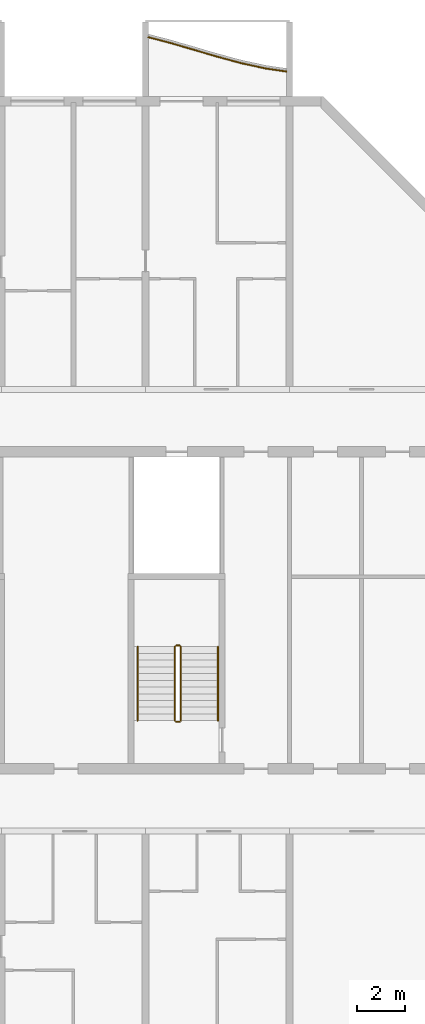
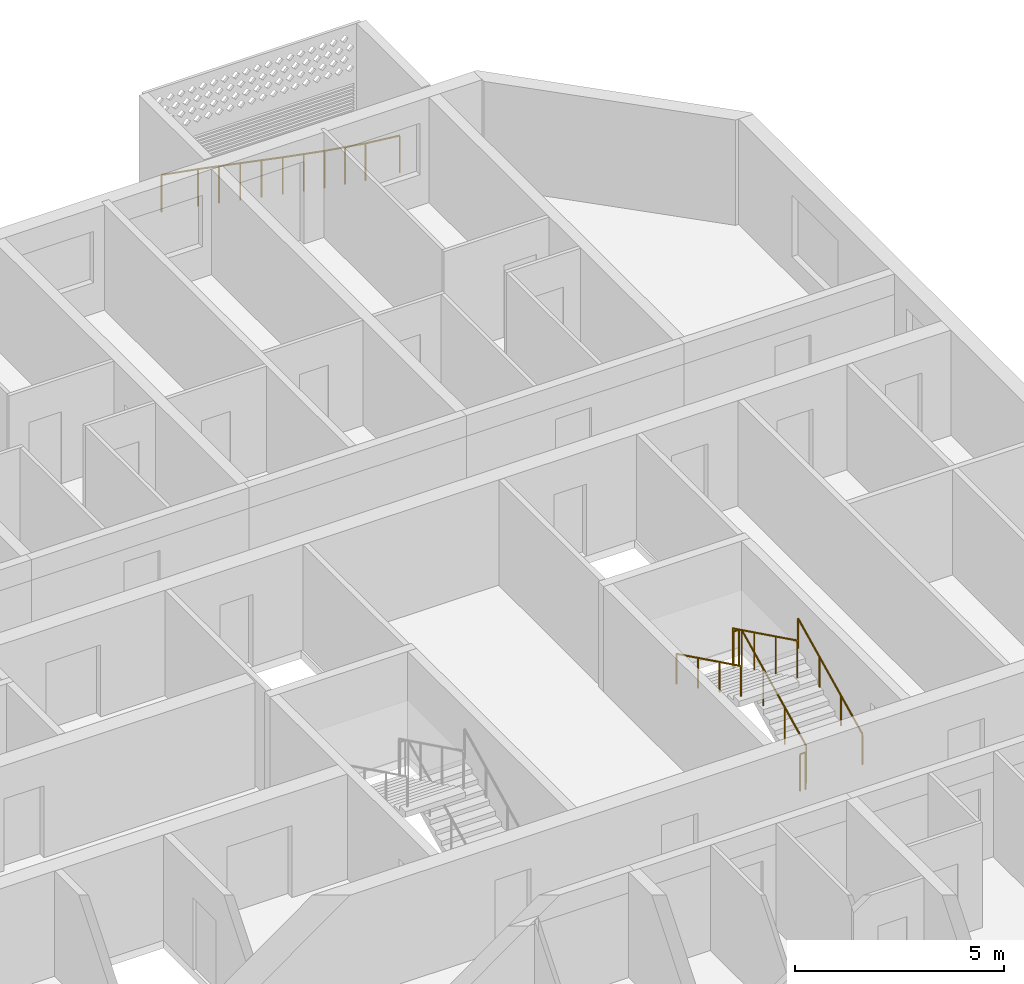
# One storey, part 31 of 32: 7 railings.
"""IFC4 building model written with IfcOpenShell, lengths in metres."""

from ifc_helpers import new_model, si_unit, direction, frame, origin, origin_2d, place, context, subcontext, project, spatial, circle, extrude, material, type_object, element, save


model = new_model("IFC4")

# Units and contexts
model_context = context("Model", 3, precision=1e-05, world=origin(), true_north=direction((0.0, 1.0)))
body_context = subcontext(model_context, "Body", "Model", "MODEL_VIEW")
ifc_project = project(units=[si_unit("LENGTHUNIT", "METRE"), si_unit("AREAUNIT", "SQUARE_METRE"), si_unit("VOLUMEUNIT", "CUBIC_METRE"), si_unit("PLANEANGLEUNIT", "RADIAN"), si_unit("MASSUNIT", "GRAM", prefix="KILO")], contexts=[model_context])

# Site, building, storey
site_placement = place(None, origin())
site = spatial("IfcSite", under=ifc_project, at=site_placement, CompositionType="ELEMENT")
building_placement = place(site_placement, origin())
building = spatial("IfcBuilding", under=site, at=building_placement, Name="Poui Terraces", CompositionType="ELEMENT")
storey_placement = place(building_placement, frame((0.0, 0.0, 129.0)))
storey = spatial("IfcBuildingStorey", under=building, at=storey_placement, Name="L35", CompositionType="ELEMENT", Elevation=129.0)

# Railings
ifc_material_1 = material(Name="Painted steel fretwork", Category="steel")
railing_type_1 = type_object("IfcRailingType", Name="BALCONY GUARD 1100", PredefinedType="GUARDRAIL", material=ifc_material_1)
railing_1_placement = place(storey_placement, frame((78.125, 45.060546875, 0.0)))
element("IfcRailing", 1, at=railing_1_placement, inside=storey, type_object=railing_type_1, Name="BALCONY GUARD", PredefinedType="GUARDRAIL", context=body_context, shape_type="SweptSolid", body=[
    extrude(circle(Radius=0.02392578125, at=origin_2d()), frame((0.0, 0.0, 1.076171875), z_axis=(0.968270997587, -0.249902531464, 0.0), x_axis=(0.249902531464, 0.968270997587, 0.0)), (0.0, 0.0, 1.0), 0.903564453125),
    extrude(circle(Radius=0.02392578125, at=origin_2d()), frame((0.875, -0.225830078125, 1.076171875), z_axis=(0.960419102414, -0.278559056071, 0.0), x_axis=(0.278559056071, 0.960419102414, 0.0)), (0.0, 0.0, 1.0), 1.041259765625),
    extrude(circle(Radius=0.02392578125, at=origin_2d()), frame((1.875, -0.515869140625, 1.076171875), z_axis=(0.959092870386, -0.283091621166, 0.0), x_axis=(0.283091621166, 0.959092870386, 0.0)), (0.0, 0.0, 1.0), 1.042724609375),
    extrude(circle(Radius=0.02392578125, at=origin_2d()), frame((2.875, -0.81103515625, 1.076171875), z_axis=(0.965483634336, -0.260463724595, 0.0), x_axis=(0.260463724595, 0.965483634336, 0.0)), (0.0, 0.0, 1.0), 1.03564453125),
    extrude(circle(Radius=0.02392578125, at=origin_2d()), frame((3.875, -1.080810546875, 1.076171875), z_axis=(0.977296797445, -0.211874891633, 0.0), x_axis=(0.211874891633, 0.977296797445, 0.0)), (0.0, 0.0, 1.0), 1.023193359375),
    extrude(circle(Radius=0.02392578125, at=origin_2d()), frame((4.875, -1.297607421875, 1.076171875), z_axis=(0.989401169276, -0.1452078725, 0.0), x_axis=(0.1452078725, 0.989401169276, 0.0)), (0.0, 0.0, 1.0), 0.88427734375),
    extrude(circle(Radius=0.02099609375, at=origin_2d()), origin(), (0.0, 0.0, 1.0), 1.052001953125),
    extrude(circle(Radius=0.02099609375, at=origin_2d()), frame((0.875, -0.225830078125, 0.0)), (0.0, 0.0, 1.0), 1.052001953125),
    extrude(circle(Radius=0.02099609375, at=origin_2d()), frame((1.375, -0.370849609375, 0.0)), (0.0, 0.0, 1.0), 1.052001953125),
    extrude(circle(Radius=0.02099609375, at=origin_2d()), frame((1.875, -0.515869140625, 0.0)), (0.0, 0.0, 1.0), 1.052001953125),
    extrude(circle(Radius=0.02099609375, at=origin_2d()), frame((2.375, -0.66357421875, 0.0)), (0.0, 0.0, 1.0), 1.052001953125),
    extrude(circle(Radius=0.02099609375, at=origin_2d()), frame((2.875, -0.81103515625, 0.0)), (0.0, 0.0, 1.0), 1.052001953125),
    extrude(circle(Radius=0.02099609375, at=origin_2d()), frame((3.375, -0.94580078125, 0.0)), (0.0, 0.0, 1.0), 1.052001953125),
    extrude(circle(Radius=0.02099609375, at=origin_2d()), frame((3.875, -1.080810546875, 0.0)), (0.0, 0.0, 1.0), 1.052001953125),
    extrude(circle(Radius=0.02099609375, at=origin_2d()), frame((4.375, -1.189208984375, 0.0)), (0.0, 0.0, 1.0), 1.052001953125),
    extrude(circle(Radius=0.02099609375, at=origin_2d()), frame((4.875, -1.297607421875, 0.0)), (0.0, 0.0, 1.0), 1.052001953125),
    extrude(circle(Radius=0.02099609375, at=origin_2d()), frame((5.75, -1.426025390625, 0.0)), (0.0, 0.0, 1.0), 1.052001953125),
])
ifc_material_2 = material(Name="Galvanised steel balustrade", Category="steel")
railing_type_2 = type_object("IfcRailingType", Name="STAIR GUARD 1100", PredefinedType="GUARDRAIL", material=ifc_material_2)
railing_2_placement = place(storey_placement, frame((79.47509765625, 16.60009765625, 0.137451171875)))
element("IfcRailing", 2, at=railing_2_placement, inside=storey, type_object=railing_type_2, Name="L35 ST-E stair guard 1", PredefinedType="GUARDRAIL", context=body_context, shape_type="SweptSolid", body=[
    extrude(circle(Radius=0.02392578125, at=origin_2d()), frame((0.0, 0.0, 1.076171875), z_axis=(0.0, 0.897606190399, 0.440798283751), x_axis=(-1.0, 0.0, 0.0)), (0.0, 0.0, 1.0), 3.43115234375),
    extrude(circle(Radius=0.02099609375, at=origin_2d()), origin(), (0.0, 0.0, 1.0), 1.052001953125),
    extrude(circle(Radius=0.02099609375, at=origin_2d()), frame((0.0, 1.026611328125, 0.504150390625)), (0.0, 0.0, 1.0), 1.052001953125),
    extrude(circle(Radius=0.02099609375, at=origin_2d()), frame((0.0, 2.05322265625, 1.00830078125)), (0.0, 0.0, 1.0), 1.052001953125),
    extrude(circle(Radius=0.02099609375, at=origin_2d()), frame((0.0, 3.079833984375, 1.512451171875)), (0.0, 0.0, 1.0), 1.052001953125),
])
railing_3_placement = place(storey_placement, frame((79.425048828125, 19.72998046875, 1.64990234375)))
element("IfcRailing", 3, at=railing_3_placement, inside=storey, type_object=railing_type_2, Name="L35 ST-E stair guard 2", PredefinedType="GUARDRAIL", context=body_context, shape_type="SweptSolid", body=[
    extrude(circle(Radius=0.02392578125, at=origin_2d()), frame((0.0, 0.0, 1.076171875), z_axis=(-1.0, 0.0, 0.0), x_axis=(0.0, -1.0, 0.0)), (0.0, 0.0, 1.0), 0.150146484375),
    extrude(circle(Radius=0.02099609375, at=origin_2d()), origin(), (0.0, 0.0, 1.0), 1.052001953125),
    extrude(circle(Radius=0.02099609375, at=origin_2d()), frame((-0.150146484375, 0.0, 0.0)), (0.0, 0.0, 1.0), 1.052001953125),
])
railing_4_placement = place(storey_placement, frame((79.22509765625, 19.679931640625, 1.78759765625)))
element("IfcRailing", 4, at=railing_4_placement, inside=storey, type_object=railing_type_2, Name="L35 ST-E stair guard 3", PredefinedType="GUARDRAIL", context=body_context, shape_type="SweptSolid", body=[
    extrude(circle(Radius=0.02392578125, at=origin_2d()), frame((0.0, 0.0, 1.076171875), z_axis=(0.0, -0.897606190399, 0.440798283751), x_axis=(1.0, 0.0, 0.0)), (0.0, 0.0, 1.0), 3.43115234375),
    extrude(circle(Radius=0.02099609375, at=origin_2d()), origin(), (0.0, 0.0, 1.0), 1.052001953125),
    extrude(circle(Radius=0.02099609375, at=origin_2d()), frame((0.0, -1.026611328125, 0.504150390625)), (0.0, 0.0, 1.0), 1.052001953125),
    extrude(circle(Radius=0.02099609375, at=origin_2d()), frame((0.0, -2.05322265625, 1.00830078125)), (0.0, 0.0, 1.0), 1.052001953125),
    extrude(circle(Radius=0.02099609375, at=origin_2d()), frame((0.0, -3.079833984375, 1.512451171875)), (0.0, 0.0, 1.0), 1.052001953125),
])
railing_5_placement = place(storey_placement, frame((79.425048828125, 16.550048828125, 0.0)))
element("IfcRailing", 5, at=railing_5_placement, inside=storey, type_object=railing_type_2, Name="L35 ST-E stair guard 4", PredefinedType="GUARDRAIL", context=body_context, shape_type="SweptSolid", body=[
    extrude(circle(Radius=0.02392578125, at=origin_2d()), frame((0.0, 0.0, 1.076171875), z_axis=(-1.0, 0.0, 0.0), x_axis=(0.0, -1.0, 0.0)), (0.0, 0.0, 1.0), 0.150146484375),
    extrude(circle(Radius=0.02099609375, at=origin_2d()), origin(), (0.0, 0.0, 1.0), 1.052001953125),
    extrude(circle(Radius=0.02099609375, at=origin_2d()), frame((-0.150146484375, 0.0, 0.0)), (0.0, 0.0, 1.0), 1.052001953125),
])
ifc_material_3 = material(Name="Stainless steel handrail", Category="steel")
railing_type_3 = type_object("IfcRailingType", Name="STAIR HANDRAIL 900", PredefinedType="HANDRAIL", material=ifc_material_3)
railing_6_placement = place(storey_placement, frame((81.02490234375, 16.60009765625, 0.137451171875)))
element("IfcRailing", 6, at=railing_6_placement, inside=storey, type_object=railing_type_3, Name="L35 ST-E stair handrail 1", PredefinedType="HANDRAIL", context=body_context, shape_type="SweptSolid", body=[
    extrude(circle(Radius=0.02392578125, at=origin_2d()), frame((0.0, 0.0, 0.8759765625), z_axis=(0.0, 0.897606190399, 0.440798283751), x_axis=(-1.0, 0.0, 0.0)), (0.0, 0.0, 1.0), 3.43115234375),
    extrude(circle(Radius=0.02099609375, at=origin_2d()), origin(), (0.0, 0.0, 1.0), 0.851806640625),
    extrude(circle(Radius=0.02099609375, at=origin_2d()), frame((0.0, 1.026611328125, 0.504150390625)), (0.0, 0.0, 1.0), 0.851806640625),
    extrude(circle(Radius=0.02099609375, at=origin_2d()), frame((0.0, 2.05322265625, 1.00830078125)), (0.0, 0.0, 1.0), 0.851806640625),
    extrude(circle(Radius=0.02099609375, at=origin_2d()), frame((0.0, 3.079833984375, 1.512451171875)), (0.0, 0.0, 1.0), 0.851806640625),
])
railing_7_placement = place(storey_placement, frame((77.675048828125, 19.679931640625, 1.78759765625)))
element("IfcRailing", 7, at=railing_7_placement, inside=storey, type_object=railing_type_3, Name="L35 ST-E stair handrail 2", PredefinedType="HANDRAIL", context=body_context, shape_type="SweptSolid", body=[
    extrude(circle(Radius=0.02392578125, at=origin_2d()), frame((0.0, 0.0, 0.8759765625), z_axis=(0.0, -0.897606190399, 0.440798283751), x_axis=(1.0, 0.0, 0.0)), (0.0, 0.0, 1.0), 3.43115234375),
    extrude(circle(Radius=0.02099609375, at=origin_2d()), origin(), (0.0, 0.0, 1.0), 0.851806640625),
    extrude(circle(Radius=0.02099609375, at=origin_2d()), frame((0.0, -1.026611328125, 0.504150390625)), (0.0, 0.0, 1.0), 0.851806640625),
    extrude(circle(Radius=0.02099609375, at=origin_2d()), frame((0.0, -2.05322265625, 1.00830078125)), (0.0, 0.0, 1.0), 0.851806640625),
    extrude(circle(Radius=0.02099609375, at=origin_2d()), frame((0.0, -3.079833984375, 1.512451171875)), (0.0, 0.0, 1.0), 0.851806640625),
])

save(model, "model.ifc")
